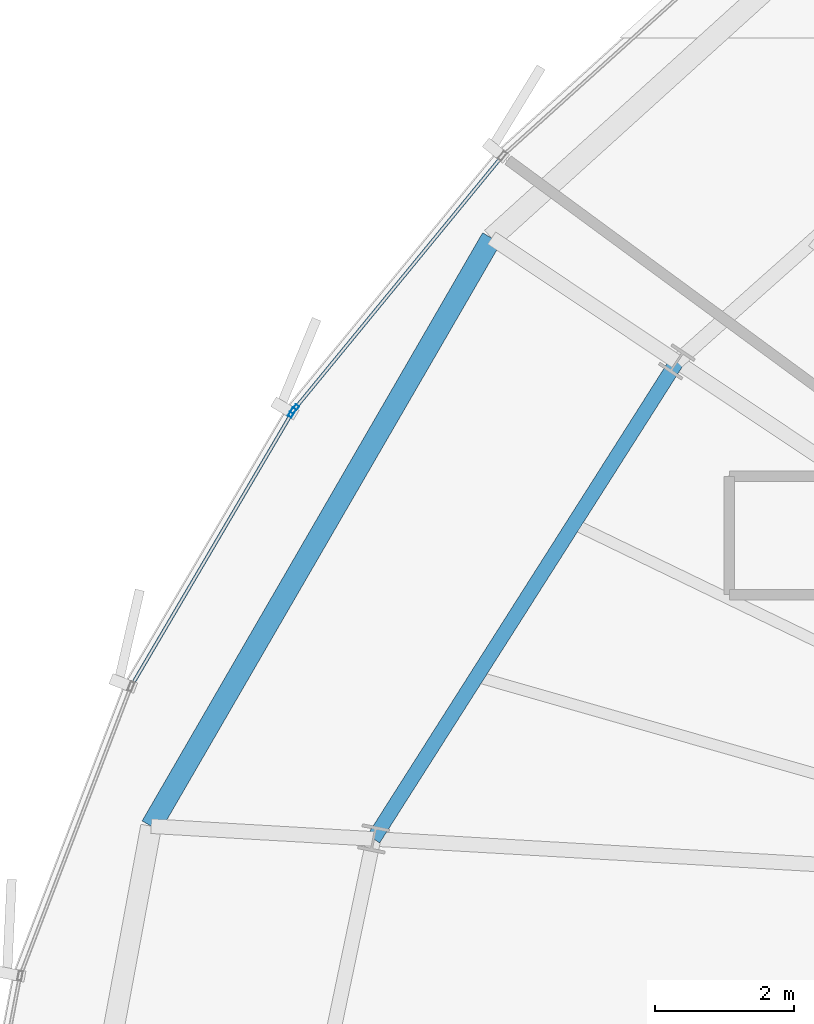
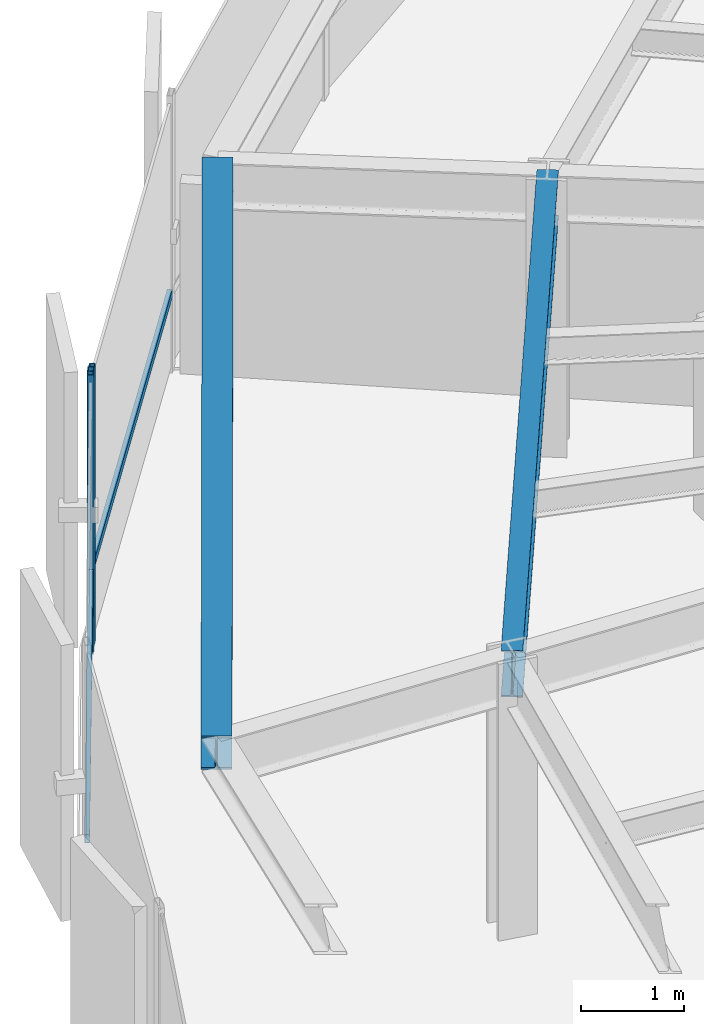
# One storey, part 17 of 34: 4 members, 2 beams, 2 elements without a shape of their own.
"""IFC4 building model written with IfcOpenShell, lengths in metres."""

from ifc_helpers import new_model, si_unit, direction, frame, origin, origin_2d, place, context, subcontext, project, spatial, hollow_rectangle, i_section, extrude, source, transform, mapped, material, layer, layer_set, material_profile, profile_set, type_object, element, aggregate, save


model = new_model("IFC4")

# Units and contexts
model_context = context("Model", 3, precision=1e-05, world=origin(), true_north=direction((0.0, 1.0)))
body_context = subcontext(model_context, "Body", "Model", "MODEL_VIEW")
ifc_project = project(units=[si_unit("LENGTHUNIT", "METRE"), si_unit("AREAUNIT", "SQUARE_METRE"), si_unit("VOLUMEUNIT", "CUBIC_METRE"), si_unit("PLANEANGLEUNIT", "RADIAN"), si_unit("MASSUNIT", "GRAM", prefix="KILO"), si_unit("THERMODYNAMICTEMPERATUREUNIT", "KELVIN")], contexts=[model_context])

# Site, building, storey
site_placement = place(None, origin())
site = spatial("IfcSite", under=ifc_project, at=site_placement, CompositionType="ELEMENT")
building_placement = place(site_placement, origin())
building = spatial("IfcBuilding", under=site, at=building_placement, Name="Kethvar Cultural Tower", CompositionType="ELEMENT")
storey_placement = place(building_placement, frame((0.0, 0.0, 153.64990234375)))
storey = spatial("IfcBuildingStorey", under=building, at=storey_placement, Name="L39", CompositionType="ELEMENT", Elevation=153.64990234375)

# Beams
ifc_material_1 = material(Name="Steel S355J2", Category="steel")
ifc_material_profile_1 = material_profile(ifc_material_1, i_section(OverallWidth=0.2099609375, OverallDepth=0.550048828125, WebThickness=0.010986328125, FlangeThickness=0.01708984375, FilletRadius=0.02392578125, at=origin_2d()), Name="Steel S355J2 — IPE550")
ifc_profile_set_1 = profile_set([ifc_material_profile_1], Name="Steel S355J2 — IPE550")
beam_type_1 = type_object("IfcBeamType", Name="BM-IPE550", PredefinedType="BEAM", material=ifc_profile_set_1)
shared_shape_1 = source(origin(), body_context, "Body", "SweptSolid", [
    extrude(i_section(OverallWidth=0.2099609375, OverallDepth=0.550048828125, WebThickness=0.010986328125, FlangeThickness=0.01708984375, FilletRadius=0.02392578125, at=origin_2d()), origin(), (0.0, 0.0, 1.0), 8.122314453125),
])
beam_1_placement = place(storey_placement, frame((30.345947265625, 38.794189453125, 3.023193359375), z_axis=(-0.536478664647, -0.843913883272, 0.0), x_axis=(0.843913883272, -0.536478664647, 0.0)))
element("IfcBeam", 1, at=beam_1_placement, inside=storey, type_object=beam_type_1, Name="L39 Column Ring Tie Beam CR-07", PredefinedType="BEAM", context=body_context, shape_type="MappedRepresentation", body=[
    mapped(shared_shape_1, transform((0.0, 0.0, 0.0), scale=1.0)),
])
ifc_material_profile_2 = material_profile(ifc_material_1, i_section(OverallWidth=0.300048828125, OverallDepth=0.39990234375, WebThickness=0.013427734375, FlangeThickness=0.02392578125, FilletRadius=0.027099609375, at=origin_2d()), Name="Steel S355J2 — HEB400")
ifc_profile_set_2 = profile_set([ifc_material_profile_2], Name="Steel S355J2 — HEB400")
beam_type_2 = type_object("IfcBeamType", Name="BM-SP400", PredefinedType="SPANDREL", material=ifc_profile_set_2)
shared_shape_2 = source(origin(), body_context, "Body", "SweptSolid", [
    extrude(i_section(OverallWidth=0.300048828125, OverallDepth=0.39990234375, WebThickness=0.013427734375, FlangeThickness=0.02392578125, FilletRadius=0.027099609375, at=origin_2d()), origin(), (0.0, 0.0, 1.0), 9.762939453125),
])
beam_2_placement = place(storey_placement, frame((27.685302734375, 40.572021484375, 3.09814453125), z_axis=(-0.501043170838, -0.865422290536, 0.0), x_axis=(0.865422290536, -0.501043170838, 0.0)))
element("IfcBeam", 2, at=beam_2_placement, inside=storey, type_object=beam_type_2, Name="L39 Perimeter Spandrel Beam SP-07", PredefinedType="SPANDREL", context=body_context, shape_type="MappedRepresentation", body=[
    mapped(shared_shape_2, transform((0.0, 0.0, 0.0), scale=1.0)),
])

# Curtain wall, member
ifc_material_2 = material(Name="Aluminium 6063-T6", Category="aluminium")
ifc_layer = layer(ifc_material_2, 0.179931640625, Name="Aluminium 6063-T6", Category="aluminium")
ifc_layer_set = layer_set([ifc_layer], Name="Aluminium 6063-T6 (180 mm)")
curtain_wall_type = type_object("IfcCurtainWallType", Name="CW-SYS-04-Z34", PredefinedType="NOTDEFINED", material=ifc_layer_set)
curtain_wall_1_placement = place(storey_placement, origin())
curtain_wall_1 = element("IfcCurtainWall", 3, at=curtain_wall_1_placement, inside=storey, type_object=curtain_wall_type, Name="L39 Curtain Wall Run 02", PredefinedType="NOTDEFINED")
ifc_material_profile_3 = material_profile(ifc_material_2, hollow_rectangle(XDim=0.06005859375, YDim=0.139892578125, WallThickness=0.0048828125, at=origin_2d()), Name="Aluminium 6063-T6 — RHS140x60x5")
ifc_profile_set_3 = profile_set([ifc_material_profile_3], Name="Aluminium 6063-T6 — RHS140x60x5")
member_type_1 = type_object("IfcMemberType", Name="CW-SYS-04-Z34-MUL", PredefinedType="MULLION", material=ifc_profile_set_3)
shared_shape_3 = source(origin(), body_context, "Body", "SweptSolid", [
    extrude(hollow_rectangle(XDim=0.06005859375, YDim=0.139892578125, WallThickness=0.0048828125, at=origin_2d()), origin(), (0.0, 0.0, 1.0), 3.300048828125),
])
member_1_placement = place(storey_placement, frame((24.852783203125, 38.11328125, 0.0), z_axis=(0.0, 0.0, 1.0), x_axis=(0.772955089162, -0.634460739636, 0.0)))
member_1 = element("IfcMember", 4, at=member_1_placement, type_object=member_type_1, Name="CW-L39-R02 Mullion 7", PredefinedType="MULLION", context=body_context, shape_type="MappedRepresentation", body=[
    mapped(shared_shape_3, transform((0.0, 0.0, 0.0), scale=1.0)),
])

curtain_wall_2_placement = place(storey_placement, origin())
curtain_wall_2 = element("IfcCurtainWall", 5, at=curtain_wall_2_placement, inside=storey, type_object=curtain_wall_type, Name="L39 Curtain Wall Run 03", PredefinedType="NOTDEFINED")
member_2_placement = place(storey_placement, frame((24.818115234375, 38.0634765625, 0.0), z_axis=(0.0, 0.0, 1.0), x_axis=(0.862124808883, -0.50669597779, 0.0)))
member_2 = element("IfcMember", 6, at=member_2_placement, type_object=member_type_1, Name="CW-L39-R03 Mullion 1", PredefinedType="MULLION", context=body_context, shape_type="MappedRepresentation", body=[
    mapped(shared_shape_3, transform((0.0, 0.0, 0.0), scale=1.0)),
])

# Member
ifc_material_profile_4 = material_profile(ifc_material_2, hollow_rectangle(XDim=0.050048828125, YDim=0.10009765625, WallThickness=0.00390625, at=origin_2d()), Name="Aluminium 6063-T6 — RHS100x50x4")
ifc_profile_set_4 = profile_set([ifc_material_profile_4], Name="Aluminium 6063-T6 — RHS100x50x4")
member_type_2 = type_object("IfcMemberType", Name="CW-SYS-04-Z34-TRN", PredefinedType="USERDEFINED", material=ifc_profile_set_4)
shared_shape_4 = source(origin(), body_context, "Body", "SweptSolid", [
    extrude(hollow_rectangle(XDim=0.050048828125, YDim=0.10009765625, WallThickness=0.00390625, at=origin_2d()), origin(), (0.0, 0.0, 1.0), 4.659423828125),
])
member_3_placement = place(storey_placement, frame((27.8115234375, 41.718017578125, 0.9501953125), z_axis=(-0.634435441698, -0.772975853645, 0.0), x_axis=(0.772975853645, -0.634435441698, 0.0)))
member_3 = element("IfcMember", 7, at=member_3_placement, type_object=member_type_2, Name="CW-L39-R02 Transom 6", ObjectType="TRANSOM", PredefinedType="USERDEFINED", context=body_context, shape_type="MappedRepresentation", body=[
    mapped(shared_shape_4, transform((0.0, 0.0, 0.0), scale=1.0)),
])

aggregate(curtain_wall_1, [member_1, member_3])

shared_shape_5 = source(origin(), body_context, "Body", "SweptSolid", [
    extrude(hollow_rectangle(XDim=0.050048828125, YDim=0.10009765625, WallThickness=0.00390625, at=origin_2d()), origin(), (0.0, 0.0, 1.0), 4.533203125),
])
member_4_placement = place(storey_placement, frame((24.81591796875, 38.059814453125, 0.9501953125), z_axis=(-0.5067211942, -0.862109987965, 0.0), x_axis=(0.862109987965, -0.5067211942, 0.0)))
member_4 = element("IfcMember", 8, at=member_4_placement, type_object=member_type_2, Name="CW-L39-R03 Transom 1", ObjectType="TRANSOM", PredefinedType="USERDEFINED", context=body_context, shape_type="MappedRepresentation", body=[
    mapped(shared_shape_5, transform((0.0, 0.0, 0.0), scale=1.0)),
])

aggregate(curtain_wall_2, [member_2, member_4])

save(model, "model.ifc")
